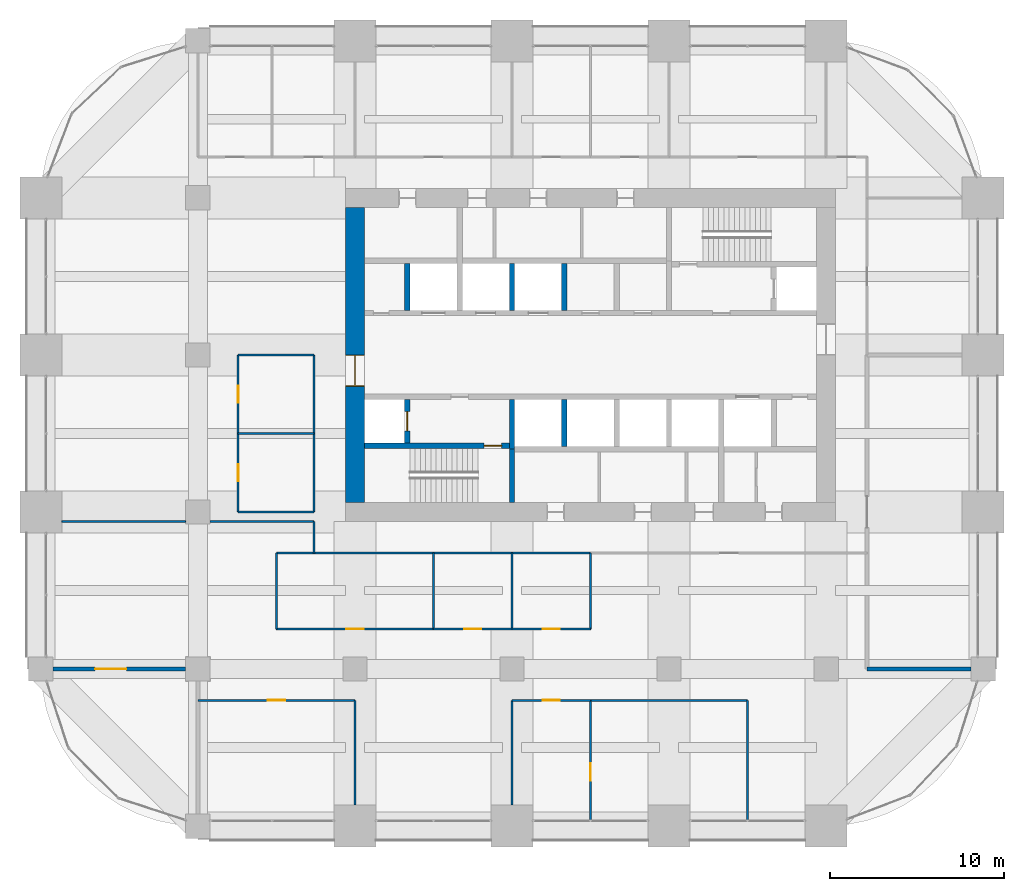
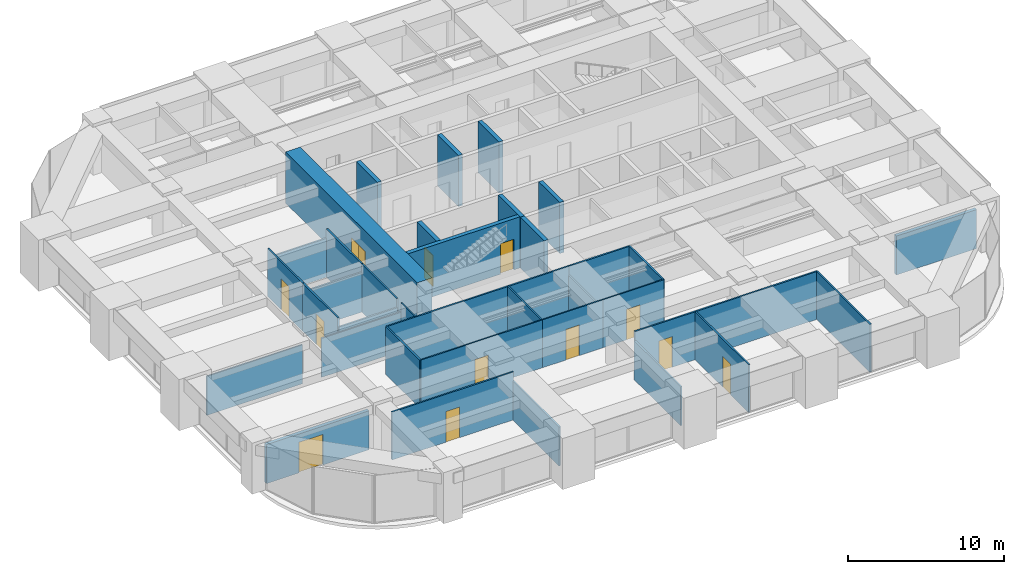
# One storey, part 30 of 34: 38 walls, 12 doors, 12 openings.
"""IFC4 building model written with IfcOpenShell, lengths in metres."""

from ifc_helpers import new_model, si_unit, direction, frame, frame_2d, origin, place, context, subcontext, project, spatial, rectangle, extrude, material, layer, layer_set, type_object, element, fill, save


model = new_model("IFC4")

# Units and contexts
model_context = context("Model", 3, precision=1e-05, world=origin(), true_north=direction((0.0, 1.0)))
body_context = subcontext(model_context, "Body", "Model", "MODEL_VIEW")
ifc_project = project(units=[si_unit("LENGTHUNIT", "METRE"), si_unit("AREAUNIT", "SQUARE_METRE"), si_unit("VOLUMEUNIT", "CUBIC_METRE"), si_unit("PLANEANGLEUNIT", "RADIAN"), si_unit("MASSUNIT", "GRAM", prefix="KILO")], contexts=[model_context])

# Site, building, storey
site_placement = place(None, origin())
site = spatial("IfcSite", under=ifc_project, at=site_placement, CompositionType="ELEMENT")
building_placement = place(site_placement, origin())
building = spatial("IfcBuilding", under=site, at=building_placement, Name="Zorevar Civic Tower", CompositionType="ELEMENT")
storey_placement = place(building_placement, frame((0.0, 0.0, 226.199951171875)))
storey = spatial("IfcBuildingStorey", under=building, at=storey_placement, Name="L55", CompositionType="ELEMENT", Elevation=226.199951171875)

# Wall
ifc_material_1 = material(Name="Twin-stud acoustic wall, gypsum board")
ifc_layer_1 = layer(ifc_material_1, 0.25)
ifc_layer_set_1 = layer_set([ifc_layer_1], Name="Acoustic wall 250")
wall_type_1 = type_object("IfcWallType", Name="Acoustic wall 250", PredefinedType="PARTITIONING", material=ifc_layer_set_1)
wall_1_placement = place(storey_placement, frame((47.35009765625, 9.0, 0.0), z_axis=(0.0, 0.0, 1.0), x_axis=(1.0, 0.0, 0.0)))
element("IfcWall", 1, at=wall_1_placement, inside=storey, type_object=wall_type_1, Name="Acoustic wall 250 L55", PredefinedType="PARTITIONING", context=body_context, shape_type="SweptSolid", body=[
    extrude(rectangle(XDim=5.949951171875, YDim=0.25, at=frame_2d((2.97509765625, 0.0))), origin(), (0.0, 0.0, 1.0), 3.050048828125),
])

# Wall, opening, door
wall_2_placement = place(storey_placement, frame((0.699951171875, 9.0, 0.0), z_axis=(0.0, 0.0, 1.0), x_axis=(1.0, 0.0, 0.0)))
wall_2 = element("IfcWall", 2, at=wall_2_placement, inside=storey, type_object=wall_type_1, Name="Acoustic wall 250 L55", PredefinedType="PARTITIONING", context=body_context, shape_type="SweptSolid", body=[
    extrude(rectangle(XDim=7.60009765625, YDim=0.25, at=frame_2d((3.800048828125, 0.0))), origin(), (0.0, 0.0, 1.0), 3.050048828125),
])
opening_1_placement = place(wall_2_placement, frame((2.39990234375, 0.0, 0.0)))
opening_1 = element("IfcOpeningElement", 3, at=opening_1_placement, cuts=wall_2, Name="Opening L55.19", PredefinedType="OPENING", context=body_context, shape_type="SweptSolid", body=[
    extrude(rectangle(XDim=1.800048828125, YDim=2.39990234375, at=frame_2d((0.89990234375, 1.199951171875))), frame((0.0, 0.135009765625, 0.0), z_axis=(0.0, -1.0, 0.0), x_axis=(1.0, 0.0, 0.0)), (0.0, 0.0, 1.0), 0.27001953125),
])
ifc_material_2 = material(Name="Steel door set", Category="steel")
door_type_1 = type_object("IfcDoorType", Name="Door D2 1800x2400", OperationType="DOUBLE_DOOR_SINGLE_SWING", PredefinedType="DOOR", material=ifc_material_2)
door_1_placement = place(opening_1_placement, origin())
door_1 = element("IfcDoor", 4, at=door_1_placement, inside=storey, type_object=door_type_1, Name="Door L55 D1", OperationType="DOUBLE_DOOR_SINGLE_SWING", OverallHeight=2.39990234375, OverallWidth=1.800048828125, PredefinedType="DOOR", context=body_context, shape_type="SweptSolid", body=[
    extrude(rectangle(XDim=1.800048828125, YDim=2.39990234375, at=frame_2d((0.89990234375, 1.199951171875))), frame((0.0, 0.02490234375, 0.0), z_axis=(0.0, -1.0, 0.0), x_axis=(1.0, 0.0, 0.0)), (0.0, 0.0, 1.0), 0.050048828125),
])
fill(opening_1, door_1)

ifc_material_3 = material(Name="Concrete C50/60", Category="concrete")
ifc_layer_2 = layer(ifc_material_3, 1.10009765625)
ifc_layer_set_2 = layer_set([ifc_layer_2], Name="Core wall 1100")
wall_type_2 = type_object("IfcWallType", Name="Core wall 1100", PredefinedType="SHEAR", material=ifc_layer_set_2)
wall_3_placement = place(storey_placement, frame((18.0, 35.449951171875, 0.0), z_axis=(0.0, 0.0, 1.0), x_axis=(0.0, -1.0, 0.0)))
wall_3 = element("IfcWall", 5, at=wall_3_placement, inside=storey, type_object=wall_type_2, Name="Core wall W L55", PredefinedType="SHEAR", context=body_context, shape_type="SweptSolid", body=[
    extrude(rectangle(XDim=16.89990234375, YDim=1.10009765625, at=frame_2d((8.449951171875, 0.0))), origin(), (0.0, 0.0, 1.0), 4.0),
])
opening_2_placement = place(wall_3_placement, frame((8.449951171875, 0.0, 0.0)))
opening_2 = element("IfcOpeningElement", 6, at=opening_2_placement, cuts=wall_3, Name="Opening L55.01", PredefinedType="OPENING", context=body_context, shape_type="SweptSolid", body=[
    extrude(rectangle(XDim=1.800048828125, YDim=2.39990234375, at=frame_2d((0.89990234375, 1.199951171875))), frame((0.0, 0.56005859375, 0.0), z_axis=(0.0, -1.0, 0.0), x_axis=(1.0, 0.0, 0.0)), (0.0, 0.0, 1.0), 1.1201171875),
])
ifc_material_4 = material(Name="Steel door set", Category="steel")
door_type_2 = type_object("IfcDoorType", Name="Fire door FD2 1800x2400", OperationType="DOUBLE_DOOR_DOUBLE_SWING", PredefinedType="DOOR", material=ifc_material_4)
door_2_placement = place(opening_2_placement, origin())
door_2 = element("IfcDoor", 7, at=door_2_placement, inside=storey, type_object=door_type_2, Name="Door L55 00", OperationType="DOUBLE_DOOR_DOUBLE_SWING", OverallHeight=2.39990234375, OverallWidth=1.800048828125, PredefinedType="DOOR", context=body_context, shape_type="SweptSolid", body=[
    extrude(rectangle(XDim=1.800048828125, YDim=2.39990234375, at=frame_2d((0.89990234375, 1.199951171875))), frame((0.0, 0.030029296875, 0.0), z_axis=(0.0, -1.0, 0.0), x_axis=(1.0, 0.0, 0.0)), (0.0, 0.0, 1.0), 0.06005859375),
    extrude(rectangle(XDim=0.04, YDim=2.39990234375, at=frame_2d((0.02001953125, 1.199951171875))), frame((0.0, 0.5498046875, 0.0), z_axis=(0.0, -1.0, 0.0), x_axis=(1.0, 0.0, 0.0)), (0.0, 0.0, 1.0), 1.099609375),
    extrude(rectangle(XDim=0.04, YDim=2.39990234375, at=frame_2d((1.780029296875, 1.199951171875))), frame((0.0, 0.5498046875, 0.0), z_axis=(0.0, -1.0, 0.0), x_axis=(1.0, 0.0, 0.0)), (0.0, 0.0, 1.0), 1.099609375),
    extrude(rectangle(XDim=1.800048828125, YDim=0.04, at=frame_2d((0.89990234375, 2.3798828125))), frame((0.0, 0.5498046875, 0.0), z_axis=(0.0, -1.0, 0.0), x_axis=(1.0, 0.0, 0.0)), (0.0, 0.0, 1.0), 1.099609375),
])
fill(opening_2, door_2)

ifc_material_5 = material(Name="Laminated glass in black aluminium frame", Category="aluminium")
ifc_layer_3 = layer(ifc_material_5, 0.10009765625)
ifc_layer_set_3 = layer_set([ifc_layer_3], Name="Glazed partition 100")
wall_type_3 = type_object("IfcWallType", Name="Glazed partition 100", PredefinedType="PARTITIONING", material=ifc_layer_set_3)
wall_4_placement = place(storey_placement, frame((13.5, 11.300048828125, 0.0), z_axis=(0.0, 0.0, 1.0), x_axis=(1.0, 0.0, 0.0)))
wall_4 = element("IfcWall", 8, at=wall_4_placement, inside=storey, type_object=wall_type_3, Name="Glazed partition 100 L55", PredefinedType="PARTITIONING", context=body_context, shape_type="SweptSolid", body=[
    extrude(rectangle(XDim=9.0, YDim=0.10009765625, at=frame_2d((4.5, 0.0))), origin(), (0.0, 0.0, 1.0), 3.75),
])
opening_3_placement = place(wall_4_placement, frame((4.0, 0.0, 0.0)))
opening_3 = element("IfcOpeningElement", 9, at=opening_3_placement, cuts=wall_4, Name="Opening L55.20", PredefinedType="OPENING", context=body_context, shape_type="SweptSolid", body=[
    extrude(rectangle(XDim=1.0, YDim=2.39990234375, at=frame_2d((0.5, 1.199951171875))), frame((0.0, 0.06005859375, 0.0), z_axis=(0.0, -1.0, 0.0), x_axis=(1.0, 0.0, 0.0)), (0.0, 0.0, 1.0), 0.1201171875),
])
ifc_material_6 = material(Name="Timber door set", Category="wood")
door_type_3 = type_object("IfcDoorType", Name="Glazed door GD1 1000x2400", OperationType="SINGLE_SWING_LEFT", PredefinedType="DOOR", material=ifc_material_6)
door_3_placement = place(opening_3_placement, origin())
door_3 = element("IfcDoor", 10, at=door_3_placement, inside=storey, type_object=door_type_3, Name="Door L55 D1", OperationType="SINGLE_SWING_LEFT", OverallHeight=2.39990234375, OverallWidth=1.0, PredefinedType="DOOR", context=body_context, shape_type="SweptSolid", body=[
    extrude(rectangle(XDim=1.0, YDim=2.39990234375, at=frame_2d((0.5, 1.199951171875))), frame((0.0, 0.02001953125, 0.0), z_axis=(0.0, -1.0, 0.0), x_axis=(1.0, 0.0, 0.0)), (0.0, 0.0, 1.0), 0.0400390625),
])
fill(opening_3, door_3)

wall_5_placement = place(storey_placement, frame((22.5, 11.300048828125, 0.0), z_axis=(0.0, 0.0, 1.0), x_axis=(1.0, 0.0, 0.0)))
wall_5 = element("IfcWall", 11, at=wall_5_placement, inside=storey, type_object=wall_type_3, Name="Glazed partition 100 L55", PredefinedType="PARTITIONING", context=body_context, shape_type="SweptSolid", body=[
    extrude(rectangle(XDim=4.5, YDim=0.10009765625, at=frame_2d((2.25, 0.0))), origin(), (0.0, 0.0, 1.0), 3.75),
])
opening_4_placement = place(wall_5_placement, frame((1.75, 0.0, 0.0)))
opening_4 = element("IfcOpeningElement", 12, at=opening_4_placement, cuts=wall_5, Name="Opening L55.21", PredefinedType="OPENING", context=body_context, shape_type="SweptSolid", body=[
    extrude(rectangle(XDim=1.0, YDim=2.39990234375, at=frame_2d((0.5, 1.199951171875))), frame((0.0, 0.06005859375, 0.0), z_axis=(0.0, -1.0, 0.0), x_axis=(1.0, 0.0, 0.0)), (0.0, 0.0, 1.0), 0.1201171875),
])
door_4_placement = place(opening_4_placement, origin())
door_4 = element("IfcDoor", 13, at=door_4_placement, inside=storey, type_object=door_type_3, Name="Door L55 D1", OperationType="SINGLE_SWING_RIGHT", OverallHeight=2.39990234375, OverallWidth=1.0, PredefinedType="DOOR", context=body_context, shape_type="SweptSolid", body=[
    extrude(rectangle(XDim=1.0, YDim=2.39990234375, at=frame_2d((0.5, 1.199951171875))), frame((0.0, 0.02001953125, 0.0), z_axis=(0.0, -1.0, 0.0), x_axis=(1.0, 0.0, 0.0)), (0.0, 0.0, 1.0), 0.0400390625),
])
fill(opening_4, door_4)

wall_6_placement = place(storey_placement, frame((27.0, 11.300048828125, 0.0), z_axis=(0.0, 0.0, 1.0), x_axis=(1.0, 0.0, 0.0)))
wall_6 = element("IfcWall", 14, at=wall_6_placement, inside=storey, type_object=wall_type_3, Name="Glazed partition 100 L55", PredefinedType="PARTITIONING", context=body_context, shape_type="SweptSolid", body=[
    extrude(rectangle(XDim=4.5, YDim=0.10009765625, at=frame_2d((2.25, 0.0))), origin(), (0.0, 0.0, 1.0), 3.75),
])
opening_5_placement = place(wall_6_placement, frame((1.75, 0.0, 0.0)))
opening_5 = element("IfcOpeningElement", 15, at=opening_5_placement, cuts=wall_6, Name="Opening L55.22", PredefinedType="OPENING", context=body_context, shape_type="SweptSolid", body=[
    extrude(rectangle(XDim=1.0, YDim=2.39990234375, at=frame_2d((0.5, 1.199951171875))), frame((0.0, 0.06005859375, 0.0), z_axis=(0.0, -1.0, 0.0), x_axis=(1.0, 0.0, 0.0)), (0.0, 0.0, 1.0), 0.1201171875),
])
door_5_placement = place(opening_5_placement, origin())
door_5 = element("IfcDoor", 16, at=door_5_placement, inside=storey, type_object=door_type_3, Name="Door L55 D1", OperationType="SINGLE_SWING_RIGHT", OverallHeight=2.39990234375, OverallWidth=1.0, PredefinedType="DOOR", context=body_context, shape_type="SweptSolid", body=[
    extrude(rectangle(XDim=1.0, YDim=2.39990234375, at=frame_2d((0.5, 1.199951171875))), frame((0.0, 0.02001953125, 0.0), z_axis=(0.0, -1.0, 0.0), x_axis=(1.0, 0.0, 0.0)), (0.0, 0.0, 1.0), 0.0400390625),
])
fill(opening_5, door_5)

# Walls
wall_7_placement = place(storey_placement, frame((1.199951171875, 17.449951171875, 0.0), z_axis=(0.0, 0.0, 1.0), x_axis=(1.0, 0.0, 0.0)))
element("IfcWall", 17, at=wall_7_placement, inside=storey, type_object=wall_type_3, Name="Glazed partition 100 L55", PredefinedType="PARTITIONING", context=body_context, shape_type="SweptSolid", body=[
    extrude(rectangle(XDim=7.10009765625, YDim=0.10009765625, at=frame_2d((3.550048828125, 0.0))), origin(), (0.0, 0.0, 1.0), 3.050048828125),
])
wall_8_placement = place(storey_placement, frame((9.699951171875, 17.449951171875, 0.0), z_axis=(0.0, 0.0, 1.0), x_axis=(1.0, 0.0, 0.0)))
element("IfcWall", 18, at=wall_8_placement, inside=storey, type_object=wall_type_3, Name="Glazed partition 100 L55", PredefinedType="PARTITIONING", context=body_context, shape_type="SweptSolid", body=[
    extrude(rectangle(XDim=5.949951171875, YDim=0.10009765625, at=frame_2d((2.97509765625, 0.0))), origin(), (0.0, 0.0, 1.0), 3.050048828125),
])
wall_9_placement = place(storey_placement, frame((15.64990234375, 15.64990234375, 0.0), z_axis=(0.0, 0.0, 1.0), x_axis=(0.0, 1.0, 0.0)))
element("IfcWall", 19, at=wall_9_placement, inside=storey, type_object=wall_type_3, Name="Glazed partition 100 L55", PredefinedType="PARTITIONING", context=body_context, shape_type="SweptSolid", body=[
    extrude(rectangle(XDim=1.800048828125, YDim=0.10009765625, at=frame_2d((0.89990234375, 0.0))), origin(), (0.0, 0.0, 1.0), 3.75),
])

# Wall, opening, door
ifc_material_7 = material(Name="Concrete C40/50", Category="concrete")
ifc_layer_4 = layer(ifc_material_7, 0.300048828125)
ifc_layer_set_4 = layer_set([ifc_layer_4], Name="Inner core wall 300")
wall_type_4 = type_object("IfcWallType", Name="Inner core wall 300", PredefinedType="SHEAR", material=ifc_layer_set_4)
wall_10_placement = place(storey_placement, frame((18.550048828125, 21.800048828125, 0.0), z_axis=(0.0, 0.0, 1.0), x_axis=(1.0, 0.0, 0.0)))
wall_10 = element("IfcWall", 20, at=wall_10_placement, inside=storey, type_object=wall_type_4, Name="Inner core wall S00 L55", PredefinedType="SHEAR", context=body_context, shape_type="SweptSolid", body=[
    extrude(rectangle(XDim=8.300048828125, YDim=0.300048828125, at=frame_2d((4.14990234375, 0.0))), origin(), (0.0, 0.0, 1.0), 4.0),
])
opening_6_placement = place(wall_10_placement, frame((6.85009765625, 0.0, 0.0)))
opening_6 = element("IfcOpeningElement", 21, at=opening_6_placement, cuts=wall_10, Name="Opening L55.11", PredefinedType="OPENING", context=body_context, shape_type="SweptSolid", body=[
    extrude(rectangle(XDim=1.0, YDim=2.39990234375, at=frame_2d((0.5, 1.199951171875))), frame((0.0, 0.159912109375, 0.0), z_axis=(0.0, -1.0, 0.0), x_axis=(1.0, 0.0, 0.0)), (0.0, 0.0, 1.0), 0.320068359375),
])
ifc_material_8 = material(Name="Steel door set", Category="steel")
door_type_4 = type_object("IfcDoorType", Name="Fire door FD1 1000x2400", OperationType="SINGLE_SWING_LEFT", PredefinedType="DOOR", material=ifc_material_8)
door_6_placement = place(opening_6_placement, origin())
door_6 = element("IfcDoor", 22, at=door_6_placement, inside=storey, type_object=door_type_4, Name="Door L55 10", OperationType="SINGLE_SWING_RIGHT", OverallHeight=2.39990234375, OverallWidth=1.0, PredefinedType="DOOR", context=body_context, shape_type="SweptSolid", body=[
    extrude(rectangle(XDim=1.0, YDim=2.39990234375, at=frame_2d((0.5, 1.199951171875))), frame((0.0, 0.030029296875, 0.0), z_axis=(0.0, -1.0, 0.0), x_axis=(1.0, 0.0, 0.0)), (0.0, 0.0, 1.0), 0.06005859375),
])
fill(opening_6, door_6)

# Wall
wall_11_placement = place(storey_placement, frame((27.0, 18.550048828125, 0.0), z_axis=(0.0, 0.0, 1.0), x_axis=(0.0, 1.0, 0.0)))
element("IfcWall", 23, at=wall_11_placement, inside=storey, type_object=wall_type_4, Name="Inner core wall S01 L55", PredefinedType="SHEAR", context=body_context, shape_type="SweptSolid", body=[
    extrude(rectangle(XDim=3.050048828125, YDim=0.300048828125, at=frame_2d((1.52490234375, 0.0))), origin(), (0.0, 0.0, 1.0), 4.0),
])

# Wall, opening, door
wall_12_placement = place(storey_placement, frame((21.0, 21.949951171875, 0.0), z_axis=(0.0, 0.0, 1.0), x_axis=(0.0, 1.0, 0.0)))
wall_12 = element("IfcWall", 24, at=wall_12_placement, inside=storey, type_object=wall_type_4, Name="Inner core wall S02 L55", PredefinedType="SHEAR", context=body_context, shape_type="SweptSolid", body=[
    extrude(rectangle(XDim=2.5, YDim=0.300048828125, at=frame_2d((1.25, 0.0))), origin(), (0.0, 0.0, 1.0), 4.0),
])
opening_7_placement = place(wall_12_placement, frame((0.699951171875, 0.0, 0.0)))
opening_7 = element("IfcOpeningElement", 25, at=opening_7_placement, cuts=wall_12, Name="Opening L55.FL1", PredefinedType="OPENING", context=body_context, shape_type="SweptSolid", body=[
    extrude(rectangle(XDim=1.10009765625, YDim=2.39990234375, at=frame_2d((0.550048828125, 1.199951171875))), frame((0.0, 0.159912109375, 0.0), z_axis=(0.0, -1.0, 0.0), x_axis=(1.0, 0.0, 0.0)), (0.0, 0.0, 1.0), 0.320068359375),
])
ifc_material_9 = material(Name="Steel door set", Category="steel")
door_type_5 = type_object("IfcDoorType", Name="Firefighting lift landing door LD3 1100x2400", OperationType="DOUBLE_DOOR_SLIDING", PredefinedType="DOOR", material=ifc_material_9)
door_7_placement = place(opening_7_placement, origin())
door_7 = element("IfcDoor", 26, at=door_7_placement, inside=storey, type_object=door_type_5, Name="Landing door FL1 L55", OperationType="DOUBLE_DOOR_SLIDING", OverallHeight=2.39990234375, OverallWidth=1.10009765625, PredefinedType="DOOR", context=body_context, shape_type="SweptSolid", body=[
    extrude(rectangle(XDim=1.10009765625, YDim=2.39990234375, at=frame_2d((0.550048828125, 1.199951171875))), frame((0.0, 0.030029296875, 0.0), z_axis=(0.0, -1.0, 0.0), x_axis=(1.0, 0.0, 0.0)), (0.0, 0.0, 1.0), 0.06005859375),
])
fill(opening_7, door_7)

# Walls
for number, where, z_axis, x_axis, name in (
    (27, (30.0, 21.75, 0.0), (0.0, 0.0, 1.0), (0.0, 1.0, 0.0), "Inner core wall S05 L55"),
    (28, (30.0, 29.550048828125, 0.0), (0.0, 0.0, 1.0), (0.0, 1.0, 0.0), "Inner core wall N06 L55"),
    (29, (27.0, 29.550048828125, 0.0), (0.0, 0.0, 1.0), (0.0, 1.0, 0.0), "Inner core wall N07 L55"),
    (30, (21.0, 29.550048828125, 0.0), (0.0, 0.0, 1.0), (0.0, 1.0, 0.0), "Inner core wall N09 L55"),
):
    element("IfcWall", number, at=place(storey_placement, frame(where, z_axis=z_axis, x_axis=x_axis)), inside=storey, type_object=wall_type_4, Name=name, PredefinedType="SHEAR", context=body_context, shape_type="SweptSolid", body=[
        extrude(rectangle(XDim=2.699951171875, YDim=0.300048828125, at=frame_2d((1.35009765625, 0.0))), origin(), (0.0, 0.0, 1.0), 4.0),
    ])
wall_13_placement = place(storey_placement, frame((27.0, 21.60009765625, 0.0), z_axis=(0.0, 0.0, 1.0), x_axis=(0.0, 1.0, 0.0)))
element("IfcWall", 31, at=wall_13_placement, inside=storey, type_object=wall_type_4, Name="Inner core wall S10 L55", PredefinedType="SHEAR", context=body_context, shape_type="SweptSolid", body=[
    extrude(rectangle(XDim=2.849853515625, YDim=0.300048828125, at=frame_2d((1.4248046875, 0.0))), origin(), (0.0, 0.0, 1.0), 4.0),
])

# Wall, opening, door
ifc_material_10 = material(Name="Gypsum board on steel studs", Category="steel")
ifc_layer_5 = layer(ifc_material_10, 0.1201171875)
ifc_layer_set_5 = layer_set([ifc_layer_5], Name="Partition 120")
wall_type_5 = type_object("IfcWallType", Name="Partition 120", PredefinedType="PARTITIONING", material=ifc_layer_set_5)
wall_14_placement = place(storey_placement, frame((9.0, 7.199951171875, 0.0), z_axis=(0.0, 0.0, 1.0), x_axis=(1.0, 0.0, 0.0)))
wall_14 = element("IfcWall", 32, at=wall_14_placement, inside=storey, type_object=wall_type_5, Name="Partition 120 L55", PredefinedType="PARTITIONING", context=body_context, shape_type="SweptSolid", body=[
    extrude(rectangle(XDim=9.0, YDim=0.1201171875, at=frame_2d((4.5, 0.0))), origin(), (0.0, 0.0, 1.0), 3.75),
])
opening_8_placement = place(wall_14_placement, frame((4.0, 0.0, 0.0)))
opening_8 = element("IfcOpeningElement", 33, at=opening_8_placement, cuts=wall_14, Name="Opening L55.17", PredefinedType="OPENING", context=body_context, shape_type="SweptSolid", body=[
    extrude(rectangle(XDim=1.0, YDim=2.39990234375, at=frame_2d((0.5, 1.199951171875))), frame((0.0, 0.070068359375, 0.0), z_axis=(0.0, -1.0, 0.0), x_axis=(1.0, 0.0, 0.0)), (0.0, 0.0, 1.0), 0.14013671875),
])
ifc_material_11 = material(Name="Timber door set", Category="wood")
door_type_6 = type_object("IfcDoorType", Name="Door D1 1000x2400", OperationType="SINGLE_SWING_LEFT", PredefinedType="DOOR", material=ifc_material_11)
door_8_placement = place(opening_8_placement, origin())
door_8 = element("IfcDoor", 34, at=door_8_placement, inside=storey, type_object=door_type_6, Name="Door L55 D1", OperationType="SINGLE_SWING_RIGHT", OverallHeight=2.39990234375, OverallWidth=1.0, PredefinedType="DOOR", context=body_context, shape_type="SweptSolid", body=[
    extrude(rectangle(XDim=1.0, YDim=2.39990234375, at=frame_2d((0.5, 1.199951171875))), frame((0.0, 0.02490234375, 0.0), z_axis=(0.0, -1.0, 0.0), x_axis=(1.0, 0.0, 0.0)), (0.0, 0.0, 1.0), 0.050048828125),
])
fill(opening_8, door_8)

wall_15_placement = place(storey_placement, frame((27.0, 7.199951171875, 0.0), z_axis=(0.0, 0.0, 1.0), x_axis=(1.0, 0.0, 0.0)))
wall_15 = element("IfcWall", 35, at=wall_15_placement, inside=storey, type_object=wall_type_5, Name="Partition 120 L55", PredefinedType="PARTITIONING", context=body_context, shape_type="SweptSolid", body=[
    extrude(rectangle(XDim=4.5, YDim=0.1201171875, at=frame_2d((2.25, 0.0))), origin(), (0.0, 0.0, 1.0), 3.75),
])
opening_9_placement = place(wall_15_placement, frame((1.75, 0.0, 0.0)))
opening_9 = element("IfcOpeningElement", 36, at=opening_9_placement, cuts=wall_15, Name="Opening L55.18", PredefinedType="OPENING", context=body_context, shape_type="SweptSolid", body=[
    extrude(rectangle(XDim=1.0, YDim=2.39990234375, at=frame_2d((0.5, 1.199951171875))), frame((0.0, 0.070068359375, 0.0), z_axis=(0.0, -1.0, 0.0), x_axis=(1.0, 0.0, 0.0)), (0.0, 0.0, 1.0), 0.14013671875),
])
door_9_placement = place(opening_9_placement, origin())
door_9 = element("IfcDoor", 37, at=door_9_placement, inside=storey, type_object=door_type_6, Name="Door L55 D1", OperationType="SINGLE_SWING_RIGHT", OverallHeight=2.39990234375, OverallWidth=1.0, PredefinedType="DOOR", context=body_context, shape_type="SweptSolid", body=[
    extrude(rectangle(XDim=1.0, YDim=2.39990234375, at=frame_2d((0.5, 1.199951171875))), frame((0.0, 0.02490234375, 0.0), z_axis=(0.0, -1.0, 0.0), x_axis=(1.0, 0.0, 0.0)), (0.0, 0.0, 1.0), 0.050048828125),
])
fill(opening_9, door_9)

# Walls
for number, where, z_axis, x_axis, name in (
    (38, (31.5, 7.199951171875, 0.0), (0.0, 0.0, 1.0), (1.0, 0.0, 0.0), "Partition 120 L55"),
    (39, (13.5, 15.64990234375, 0.0), (0.0, 0.0, 1.0), (1.0, 0.0, 0.0), "Partition 120 L55"),
):
    element("IfcWall", number, at=place(storey_placement, frame(where, z_axis=z_axis, x_axis=x_axis)), inside=storey, type_object=wall_type_5, Name=name, PredefinedType="PARTITIONING", context=body_context, shape_type="SweptSolid", body=[
        extrude(rectangle(XDim=9.0, YDim=0.1201171875, at=frame_2d((4.5, 0.0))), origin(), (0.0, 0.0, 1.0), 3.75),
    ])
for number, where, z_axis, x_axis, name in (
    (40, (22.5, 15.64990234375, 0.0), (0.0, 0.0, 1.0), (1.0, 0.0, 0.0), "Partition 120 L55"),
    (41, (27.0, 15.64990234375, 0.0), (0.0, 0.0, 1.0), (1.0, 0.0, 0.0), "Partition 120 L55"),
):
    element("IfcWall", number, at=place(storey_placement, frame(where, z_axis=z_axis, x_axis=x_axis)), inside=storey, type_object=wall_type_5, Name=name, PredefinedType="PARTITIONING", context=body_context, shape_type="SweptSolid", body=[
        extrude(rectangle(XDim=4.5, YDim=0.1201171875, at=frame_2d((2.25, 0.0))), origin(), (0.0, 0.0, 1.0), 3.75),
    ])
wall_16_placement = place(storey_placement, frame((11.300048828125, 18.0, 0.0), z_axis=(0.0, 0.0, 1.0), x_axis=(1.0, 0.0, 0.0)))
element("IfcWall", 42, at=wall_16_placement, inside=storey, type_object=wall_type_5, Name="Partition 120 L55", PredefinedType="PARTITIONING", context=body_context, shape_type="SweptSolid", body=[
    extrude(rectangle(XDim=4.349853515625, YDim=0.1201171875, at=frame_2d((2.1748046875, 0.0))), origin(), (0.0, 0.0, 1.0), 3.050048828125),
])
wall_17_placement = place(storey_placement, frame((11.300048828125, 22.5, 0.0), z_axis=(0.0, 0.0, 1.0), x_axis=(1.0, 0.0, 0.0)))
element("IfcWall", 43, at=wall_17_placement, inside=storey, type_object=wall_type_5, Name="Partition 120 L55", PredefinedType="PARTITIONING", context=body_context, shape_type="SweptSolid", body=[
    extrude(rectangle(XDim=4.349853515625, YDim=0.1201171875, at=frame_2d((2.1748046875, 0.0))), origin(), (0.0, 0.0, 1.0), 3.10009765625),
])
wall_18_placement = place(storey_placement, frame((11.300048828125, 27.0, 0.0), z_axis=(0.0, 0.0, 1.0), x_axis=(1.0, 0.0, 0.0)))
element("IfcWall", 44, at=wall_18_placement, inside=storey, type_object=wall_type_5, Name="Partition 120 L55", PredefinedType="PARTITIONING", context=body_context, shape_type="SweptSolid", body=[
    extrude(rectangle(XDim=4.349853515625, YDim=0.1201171875, at=frame_2d((2.1748046875, 0.0))), origin(), (0.0, 0.0, 1.0), 3.050048828125),
])

# Wall, opening, door
wall_19_placement = place(storey_placement, frame((11.300048828125, 18.0, 0.0), z_axis=(0.0, 0.0, 1.0), x_axis=(0.0, 1.0, 0.0)))
wall_19 = element("IfcWall", 45, at=wall_19_placement, inside=storey, type_object=wall_type_5, Name="Partition 120 L55", PredefinedType="PARTITIONING", context=body_context, shape_type="SweptSolid", body=[
    extrude(rectangle(XDim=4.5, YDim=0.1201171875, at=frame_2d((2.25, 0.0))), origin(), (0.0, 0.0, 1.0), 3.75),
])
opening_10_placement = place(wall_19_placement, frame((1.75, 0.0, 0.0)))
opening_10 = element("IfcOpeningElement", 46, at=opening_10_placement, cuts=wall_19, Name="Opening L55.31", PredefinedType="OPENING", context=body_context, shape_type="SweptSolid", body=[
    extrude(rectangle(XDim=1.0, YDim=2.39990234375, at=frame_2d((0.5, 1.199951171875))), frame((0.0, 0.070068359375, 0.0), z_axis=(0.0, -1.0, 0.0), x_axis=(1.0, 0.0, 0.0)), (0.0, 0.0, 1.0), 0.14013671875),
])
door_10_placement = place(opening_10_placement, origin())
door_10 = element("IfcDoor", 47, at=door_10_placement, inside=storey, type_object=door_type_6, Name="Door L55 D1", OperationType="SINGLE_SWING_RIGHT", OverallHeight=2.39990234375, OverallWidth=1.0, PredefinedType="DOOR", context=body_context, shape_type="SweptSolid", body=[
    extrude(rectangle(XDim=1.0, YDim=2.39990234375, at=frame_2d((0.5, 1.199951171875))), frame((0.0, 0.02490234375, 0.0), z_axis=(0.0, -1.0, 0.0), x_axis=(1.0, 0.0, 0.0)), (0.0, 0.0, 1.0), 0.050048828125),
])
fill(opening_10, door_10)

wall_20_placement = place(storey_placement, frame((11.300048828125, 22.5, 0.0), z_axis=(0.0, 0.0, 1.0), x_axis=(0.0, 1.0, 0.0)))
wall_20 = element("IfcWall", 48, at=wall_20_placement, inside=storey, type_object=wall_type_5, Name="Partition 120 L55", PredefinedType="PARTITIONING", context=body_context, shape_type="SweptSolid", body=[
    extrude(rectangle(XDim=4.5, YDim=0.1201171875, at=frame_2d((2.25, 0.0))), origin(), (0.0, 0.0, 1.0), 3.75),
])
opening_11_placement = place(wall_20_placement, frame((1.75, 0.0, 0.0)))
opening_11 = element("IfcOpeningElement", 49, at=opening_11_placement, cuts=wall_20, Name="Opening L55.32", PredefinedType="OPENING", context=body_context, shape_type="SweptSolid", body=[
    extrude(rectangle(XDim=1.0, YDim=2.39990234375, at=frame_2d((0.5, 1.199951171875))), frame((0.0, 0.070068359375, 0.0), z_axis=(0.0, -1.0, 0.0), x_axis=(1.0, 0.0, 0.0)), (0.0, 0.0, 1.0), 0.14013671875),
])
door_11_placement = place(opening_11_placement, origin())
door_11 = element("IfcDoor", 50, at=door_11_placement, inside=storey, type_object=door_type_6, Name="Door L55 D1", OperationType="SINGLE_SWING_RIGHT", OverallHeight=2.39990234375, OverallWidth=1.0, PredefinedType="DOOR", context=body_context, shape_type="SweptSolid", body=[
    extrude(rectangle(XDim=1.0, YDim=2.39990234375, at=frame_2d((0.5, 1.199951171875))), frame((0.0, 0.02490234375, 0.0), z_axis=(0.0, -1.0, 0.0), x_axis=(1.0, 0.0, 0.0)), (0.0, 0.0, 1.0), 0.050048828125),
])
fill(opening_11, door_11)

# Walls
wall_21_placement = place(storey_placement, frame((13.5, 11.300048828125, 0.0), z_axis=(0.0, 0.0, 1.0), x_axis=(0.0, 1.0, 0.0)))
element("IfcWall", 51, at=wall_21_placement, inside=storey, type_object=wall_type_5, Name="Partition 120 L55", PredefinedType="PARTITIONING", context=body_context, shape_type="SweptSolid", body=[
    extrude(rectangle(XDim=4.349853515625, YDim=0.1201171875, at=frame_2d((2.1748046875, 0.0))), origin(), (0.0, 0.0, 1.0), 3.75),
])
for number, where, z_axis, x_axis, name in (
    (52, (15.64990234375, 18.0, 0.0), (0.0, 0.0, 1.0), (0.0, 1.0, 0.0), "Partition 120 L55"),
    (53, (15.64990234375, 22.5, 0.0), (0.0, 0.0, 1.0), (0.0, 1.0, 0.0), "Partition 120 L55"),
):
    element("IfcWall", number, at=place(storey_placement, frame(where, z_axis=z_axis, x_axis=x_axis)), inside=storey, type_object=wall_type_5, Name=name, PredefinedType="PARTITIONING", context=body_context, shape_type="SweptSolid", body=[
        extrude(rectangle(XDim=4.5, YDim=0.1201171875, at=frame_2d((2.25, 0.0))), origin(), (0.0, 0.0, 1.0), 3.75),
    ])
wall_22_placement = place(storey_placement, frame((18.0, 1.199951171875, 0.0), z_axis=(0.0, 0.0, 1.0), x_axis=(0.0, 1.0, 0.0)))
element("IfcWall", 54, at=wall_22_placement, inside=storey, type_object=wall_type_5, Name="Partition 120 L55", PredefinedType="PARTITIONING", context=body_context, shape_type="SweptSolid", body=[
    extrude(rectangle(XDim=6.0, YDim=0.1201171875, at=frame_2d((3.0, 0.0))), origin(), (0.0, 0.0, 1.0), 3.050048828125),
])
wall_23_placement = place(storey_placement, frame((22.5, 11.300048828125, 0.0), z_axis=(0.0, 0.0, 1.0), x_axis=(0.0, 1.0, 0.0)))
element("IfcWall", 55, at=wall_23_placement, inside=storey, type_object=wall_type_5, Name="Partition 120 L55", PredefinedType="PARTITIONING", context=body_context, shape_type="SweptSolid", body=[
    extrude(rectangle(XDim=4.349853515625, YDim=0.1201171875, at=frame_2d((2.1748046875, 0.0))), origin(), (0.0, 0.0, 1.0), 3.75),
])
wall_24_placement = place(storey_placement, frame((27.0, 1.199951171875, 0.0), z_axis=(0.0, 0.0, 1.0), x_axis=(0.0, 1.0, 0.0)))
element("IfcWall", 56, at=wall_24_placement, inside=storey, type_object=wall_type_5, Name="Partition 120 L55", PredefinedType="PARTITIONING", context=body_context, shape_type="SweptSolid", body=[
    extrude(rectangle(XDim=6.0, YDim=0.1201171875, at=frame_2d((3.0, 0.0))), origin(), (0.0, 0.0, 1.0), 3.050048828125),
])
wall_25_placement = place(storey_placement, frame((27.0, 11.300048828125, 0.0), z_axis=(0.0, 0.0, 1.0), x_axis=(0.0, 1.0, 0.0)))
element("IfcWall", 57, at=wall_25_placement, inside=storey, type_object=wall_type_5, Name="Partition 120 L55", PredefinedType="PARTITIONING", context=body_context, shape_type="SweptSolid", body=[
    extrude(rectangle(XDim=4.349853515625, YDim=0.1201171875, at=frame_2d((2.1748046875, 0.0))), origin(), (0.0, 0.0, 1.0), 3.050048828125),
])

# Wall, opening, door
wall_26_placement = place(storey_placement, frame((31.5, 0.31005859375, 0.0), z_axis=(0.0, 0.0, 1.0), x_axis=(0.0, 1.0, 0.0)))
wall_26 = element("IfcWall", 58, at=wall_26_placement, inside=storey, type_object=wall_type_5, Name="Partition 120 L55", PredefinedType="PARTITIONING", context=body_context, shape_type="SweptSolid", body=[
    extrude(rectangle(XDim=6.889892578125, YDim=0.1201171875, at=frame_2d((3.44482421875, 0.0))), origin(), (0.0, 0.0, 1.0), 3.75),
])
opening_12_placement = place(wall_26_placement, frame((2.2900390625, 0.0, 0.0)))
opening_12 = element("IfcOpeningElement", 59, at=opening_12_placement, cuts=wall_26, Name="Opening L55.33", PredefinedType="OPENING", context=body_context, shape_type="SweptSolid", body=[
    extrude(rectangle(XDim=1.0, YDim=2.39990234375, at=frame_2d((0.5, 1.199951171875))), frame((0.0, 0.070068359375, 0.0), z_axis=(0.0, -1.0, 0.0), x_axis=(1.0, 0.0, 0.0)), (0.0, 0.0, 1.0), 0.14013671875),
])
door_12_placement = place(opening_12_placement, origin())
door_12 = element("IfcDoor", 60, at=door_12_placement, inside=storey, type_object=door_type_6, Name="Door L55 D1", OperationType="SINGLE_SWING_LEFT", OverallHeight=2.39990234375, OverallWidth=1.0, PredefinedType="DOOR", context=body_context, shape_type="SweptSolid", body=[
    extrude(rectangle(XDim=1.0, YDim=2.39990234375, at=frame_2d((0.5, 1.199951171875))), frame((0.0, 0.02490234375, 0.0), z_axis=(0.0, -1.0, 0.0), x_axis=(1.0, 0.0, 0.0)), (0.0, 0.0, 1.0), 0.050048828125),
])
fill(opening_12, door_12)

# Walls
wall_27_placement = place(storey_placement, frame((31.5, 11.300048828125, 0.0), z_axis=(0.0, 0.0, 1.0), x_axis=(0.0, 1.0, 0.0)))
element("IfcWall", 61, at=wall_27_placement, inside=storey, type_object=wall_type_5, Name="Partition 120 L55", PredefinedType="PARTITIONING", context=body_context, shape_type="SweptSolid", body=[
    extrude(rectangle(XDim=4.349853515625, YDim=0.1201171875, at=frame_2d((2.1748046875, 0.0))), origin(), (0.0, 0.0, 1.0), 3.75),
])
wall_28_placement = place(storey_placement, frame((40.5, 0.31005859375, 0.0), z_axis=(0.0, 0.0, 1.0), x_axis=(0.0, 1.0, 0.0)))
element("IfcWall", 62, at=wall_28_placement, inside=storey, type_object=wall_type_5, Name="Partition 120 L55", PredefinedType="PARTITIONING", context=body_context, shape_type="SweptSolid", body=[
    extrude(rectangle(XDim=6.889892578125, YDim=0.1201171875, at=frame_2d((3.44482421875, 0.0))), origin(), (0.0, 0.0, 1.0), 3.75),
])

save(model, "model.ifc")
